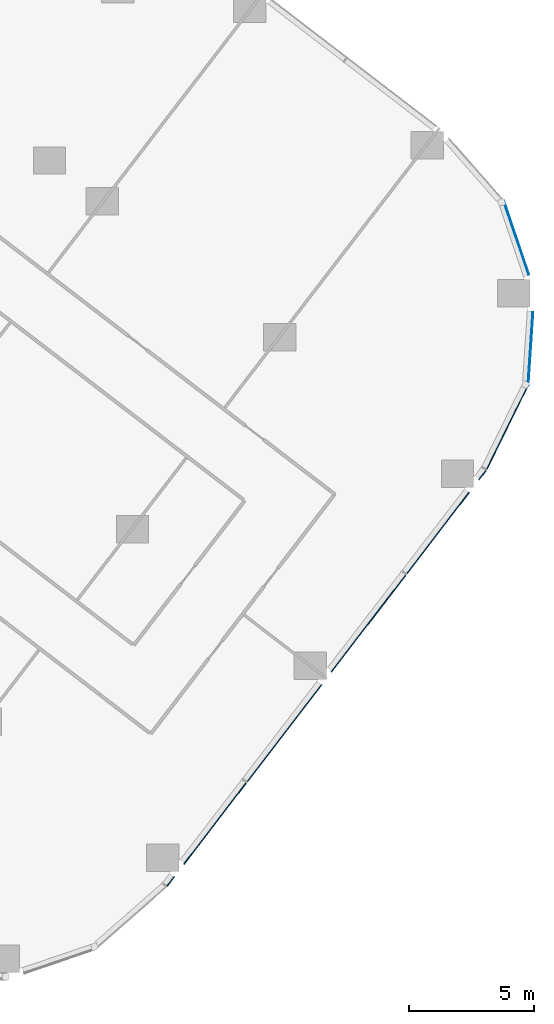
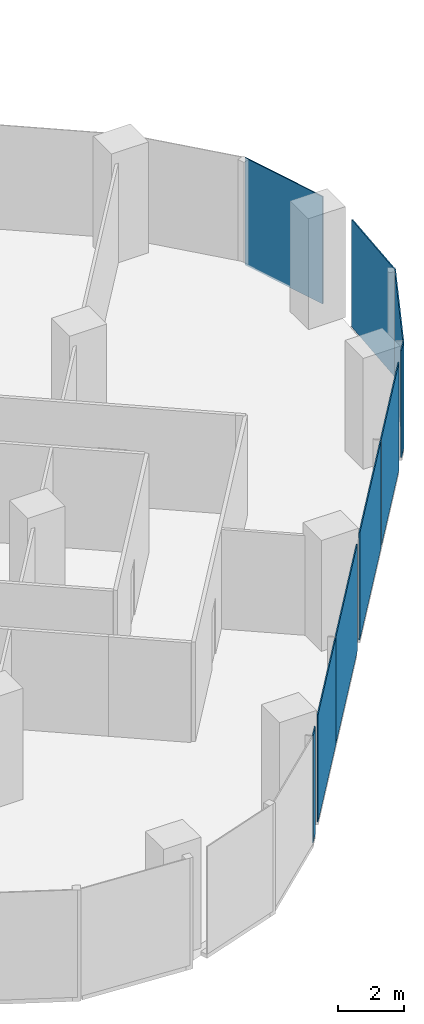
# One storey, part 18 of 29: 9 plates, 4 elements without a shape of their own.
"""IFC4 building model written with IfcOpenShell, lengths in metres."""

from ifc_helpers import new_model, si_unit, direction, frame, origin, origin_2d, place, context, subcontext, project, spatial, rectangle, extrude, material, layer, layer_set, type_object, element, aggregate, save


model = new_model("IFC4")

# Units and contexts
model_context = context("Model", 3, precision=1e-05, world=origin(), true_north=direction((0.0, 1.0)))
body_context = subcontext(model_context, "Body", "Model", "MODEL_VIEW")
ifc_project = project(units=[si_unit("LENGTHUNIT", "METRE"), si_unit("AREAUNIT", "SQUARE_METRE"), si_unit("VOLUMEUNIT", "CUBIC_METRE"), si_unit("PLANEANGLEUNIT", "RADIAN"), si_unit("MASSUNIT", "GRAM", prefix="KILO")], contexts=[model_context])

# Site, building, storey
site_placement = place(None, origin())
site = spatial("IfcSite", under=ifc_project, at=site_placement, CompositionType="ELEMENT")
building_placement = place(site_placement, origin())
building = spatial("IfcBuilding", under=site, at=building_placement, Name="Orlundy Tower", CompositionType="ELEMENT")
storey_placement = place(building_placement, frame((0.0, 0.0, 25.10009765625)))
storey = spatial("IfcBuildingStorey", under=building, at=storey_placement, Name="L04", CompositionType="ELEMENT", Elevation=25.10009765625)

# Curtain wall, plate
ifc_material_1 = material(Name="Aluminium bronze anodised", Category="aluminium")
curtain_wall_type = type_object("IfcCurtainWallType", Name="CW2 wall", PredefinedType="NOTDEFINED", material=ifc_material_1)
curtain_wall_1_placement = place(storey_placement, origin())
curtain_wall_1 = element("IfcCurtainWall", 1, at=curtain_wall_1_placement, inside=storey, type_object=curtain_wall_type, Name="CW2 run 020", PredefinedType="NOTDEFINED")
ifc_material_2 = material(Name="Tinted glass", Category="glass")
ifc_layer = layer(ifc_material_2, 0.0380859375)
ifc_layer_set = layer_set([ifc_layer], Name="CW2 glass panel 38")
plate_type = type_object("IfcPlateType", Name="CW2 glass panel 38", PredefinedType="CURTAIN_PANEL", material=ifc_layer_set)
plate_1_placement = place(storey_placement, frame((55.785888671875, -19.3271484375, -0.27001953125), z_axis=(0.0, 0.0, 1.0), x_axis=(0.321564171921, -0.946887788144, 0.0)))
plate_1 = element("IfcPlate", 2, at=plate_1_placement, type_object=plate_type, Name="CW2 panel", PredefinedType="CURTAIN_PANEL", context=body_context, shape_type="SweptSolid", body=[
    extrude(rectangle(XDim=3.12158203125, YDim=0.0380859375, at=origin_2d()), origin(), (0.0, 0.0, 1.0), 3.969970703125),
])
aggregate(curtain_wall_1, [plate_1])

curtain_wall_2_placement = place(storey_placement, origin())
curtain_wall_2 = element("IfcCurtainWall", 3, at=curtain_wall_2_placement, inside=storey, type_object=curtain_wall_type, Name="CW2 run 021", PredefinedType="NOTDEFINED")
plate_2_placement = place(storey_placement, frame((56.352783203125, -23.7705078125, -0.27001953125), z_axis=(0.0, 0.0, 1.0), x_axis=(-0.065569783834, -0.997847986142, 0.0)))
plate_2 = element("IfcPlate", 4, at=plate_2_placement, type_object=plate_type, Name="CW2 panel", PredefinedType="CURTAIN_PANEL", context=body_context, shape_type="SweptSolid", body=[
    extrude(rectangle(XDim=2.937255859375, YDim=0.0380859375, at=origin_2d()), origin(), (0.0, 0.0, 1.0), 3.969970703125),
])
aggregate(curtain_wall_2, [plate_2])

curtain_wall_3_placement = place(storey_placement, origin())
curtain_wall_3 = element("IfcCurtainWall", 5, at=curtain_wall_3_placement, inside=storey, type_object=curtain_wall_type, Name="CW2 run 022", PredefinedType="NOTDEFINED")
plate_3_placement = place(storey_placement, frame((55.42724609375, -26.91796875, -0.27001953125), z_axis=(0.0, 0.0, 1.0), x_axis=(-0.442134938063, -0.896948547323, 0.0)))
plate_3 = element("IfcPlate", 6, at=plate_3_placement, type_object=plate_type, Name="CW2 panel", PredefinedType="CURTAIN_PANEL", context=body_context, shape_type="SweptSolid", body=[
    extrude(rectangle(XDim=3.75048828125, YDim=0.0380859375, at=origin_2d()), origin(), (0.0, 0.0, 1.0), 3.969970703125),
])
aggregate(curtain_wall_3, [plate_3])

# Curtain wall, plates
curtain_wall_4_placement = place(storey_placement, origin())
curtain_wall_4 = element("IfcCurtainWall", 7, at=curtain_wall_4_placement, inside=storey, type_object=curtain_wall_type, Name="CW2 run 023", PredefinedType="NOTDEFINED")
plate_4_placement = place(storey_placement, frame((54.42431640625, -28.834716796875, -0.27001953125), z_axis=(0.0, 0.0, 1.0), x_axis=(-0.60877139118, -0.793345695949, 0.0)))
plate_4 = element("IfcPlate", 8, at=plate_4_placement, type_object=plate_type, Name="CW2 panel", PredefinedType="CURTAIN_PANEL", context=body_context, shape_type="SweptSolid", body=[
    extrude(rectangle(XDim=0.484375, YDim=0.0380859375, at=origin_2d()), origin(), (0.0, 0.0, 1.0), 3.969970703125),
])
plate_5_placement = place(storey_placement, frame((52.645751953125, -31.15234375, -0.27001953125), z_axis=(0.0, 0.0, 1.0), x_axis=(-0.60877139118, -0.793345695949, 0.0)))
plate_5 = element("IfcPlate", 9, at=plate_5_placement, type_object=plate_type, Name="CW2 panel", PredefinedType="CURTAIN_PANEL", context=body_context, shape_type="SweptSolid", body=[
    extrude(rectangle(XDim=4.11767578125, YDim=0.0380859375, at=origin_2d()), origin(), (0.0, 0.0, 1.0), 3.969970703125),
])
plate_6_placement = place(storey_placement, frame((49.866943359375, -34.773681640625, -0.27001953125), z_axis=(0.0, 0.0, 1.0), x_axis=(-0.60877139118, -0.793345695949, 0.0)))
plate_6 = element("IfcPlate", 10, at=plate_6_placement, type_object=plate_type, Name="CW2 panel", PredefinedType="CURTAIN_PANEL", context=body_context, shape_type="SweptSolid", body=[
    extrude(rectangle(XDim=4.91162109375, YDim=0.0380859375, at=origin_2d()), origin(), (0.0, 0.0, 1.0), 3.969970703125),
])
plate_7_placement = place(storey_placement, frame((46.4970703125, -39.165283203125, -0.27001953125), z_axis=(0.0, 0.0, 1.0), x_axis=(-0.60877139118, -0.793345695949, 0.0)))
plate_7 = element("IfcPlate", 11, at=plate_7_placement, type_object=plate_type, Name="CW2 panel", PredefinedType="CURTAIN_PANEL", context=body_context, shape_type="SweptSolid", body=[
    extrude(rectangle(XDim=4.9169921875, YDim=0.0380859375, at=origin_2d()), origin(), (0.0, 0.0, 1.0), 3.969970703125),
])
plate_8_placement = place(storey_placement, frame((43.718505859375, -42.786376953125, -0.27001953125), z_axis=(0.0, 0.0, 1.0), x_axis=(-0.60877139118, -0.793345695949, 0.0)))
plate_8 = element("IfcPlate", 12, at=plate_8_placement, type_object=plate_type, Name="CW2 panel", PredefinedType="CURTAIN_PANEL", context=body_context, shape_type="SweptSolid", body=[
    extrude(rectangle(XDim=4.111572265625, YDim=0.0380859375, at=origin_2d()), origin(), (0.0, 0.0, 1.0), 3.969970703125),
])
plate_9_placement = place(storey_placement, frame((41.93994140625, -45.1044921875, -0.27001953125), z_axis=(0.0, 0.0, 1.0), x_axis=(-0.60877139118, -0.793345695949, 0.0)))
plate_9 = element("IfcPlate", 13, at=plate_9_placement, type_object=plate_type, Name="CW2 panel", PredefinedType="CURTAIN_PANEL", context=body_context, shape_type="SweptSolid", body=[
    extrude(rectangle(XDim=0.489990234375, YDim=0.0380859375, at=origin_2d()), origin(), (0.0, 0.0, 1.0), 3.969970703125),
])
aggregate(curtain_wall_4, [plate_4, plate_5, plate_6, plate_7, plate_8, plate_9])

save(model, "model.ifc")
